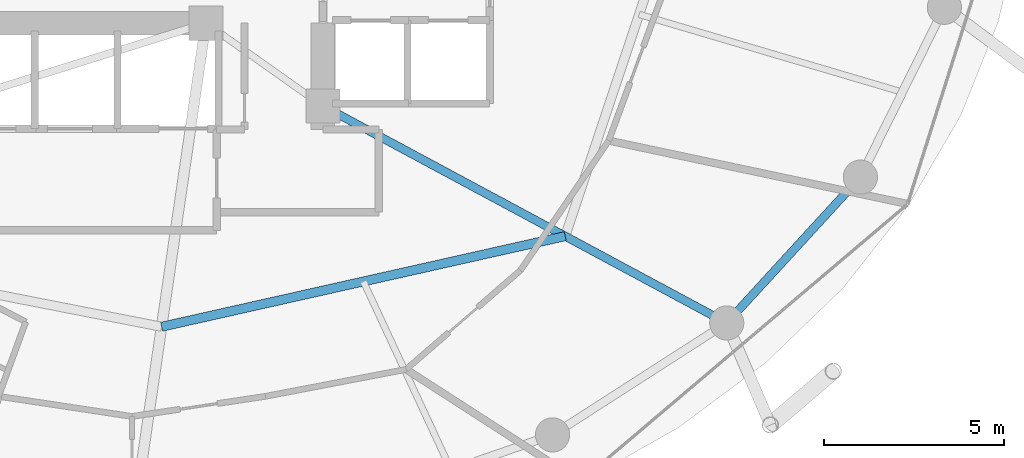
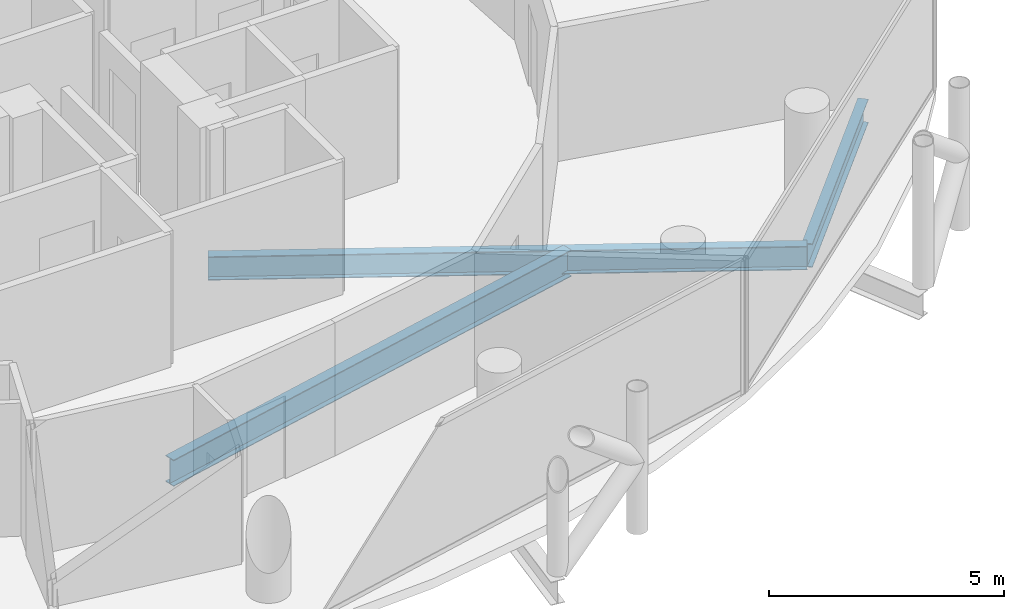
# One storey, part 9 of 26: 3 beams.
"""IFC4 building model written with IfcOpenShell, lengths in metres."""

from ifc_helpers import new_model, si_unit, direction, frame, origin, origin_2d, place, context, subcontext, project, spatial, i_section, extrude, material, material_profile, profile_set, type_object, element, save


model = new_model("IFC4")

# Units and contexts
model_context = context("Model", 3, precision=1e-05, world=origin(), true_north=direction((0.0, 1.0)))
body_context = subcontext(model_context, "Body", "Model", "MODEL_VIEW")
ifc_project = project(units=[si_unit("LENGTHUNIT", "METRE"), si_unit("AREAUNIT", "SQUARE_METRE"), si_unit("VOLUMEUNIT", "CUBIC_METRE"), si_unit("PLANEANGLEUNIT", "RADIAN"), si_unit("MASSUNIT", "GRAM", prefix="KILO")], contexts=[model_context])

# Site, building, storey
site_placement = place(None, origin())
site = spatial("IfcSite", under=ifc_project, at=site_placement, CompositionType="ELEMENT")
building_placement = place(site_placement, origin())
building = spatial("IfcBuilding", under=site, at=building_placement, Name="Nuhasar Tower", CompositionType="ELEMENT")
storey_placement = place(building_placement, frame((0.0, 0.0, 181.14990234375)))
storey = spatial("IfcBuildingStorey", under=building, at=storey_placement, Name="L44", CompositionType="ELEMENT", Elevation=181.14990234375)

# Beams
ifc_material = material(Name="Steel S355", Category="steel")
ifc_material_profile_1 = material_profile(ifc_material, i_section(OverallWidth=0.25390625, OverallDepth=0.68408203125, WebThickness=0.012451171875, FlangeThickness=0.018798828125, at=origin_2d()), Name="W27X94")
ifc_profile_set_1 = profile_set([ifc_material_profile_1], Name="Steel S355")
beam_type_1 = type_object("IfcBeamType", Name="BM-INRING-W27X94", PredefinedType="BEAM", material=ifc_profile_set_1)
beam_1_placement = place(storey_placement, frame((39.820068359375, 12.8701171875, -0.591796875), z_axis=(0.975716159385, 0.219038755282, 0.0), x_axis=(-0.219038755282, 0.975716159385, 0.0)))
element("IfcBeam", 1, at=beam_1_placement, inside=storey, type_object=beam_type_1, Name="L44 Inner Header Beam 02", PredefinedType="BEAM", context=body_context, shape_type="SweptSolid", body=[
    extrude(i_section(OverallWidth=0.25390625, OverallDepth=0.68408203125, WebThickness=0.012451171875, FlangeThickness=0.018798828125, at=origin_2d()), origin(), (0.0, 0.0, 1.0), 11.48583984375),
])
ifc_material_profile_2 = material_profile(ifc_material, i_section(OverallWidth=0.22900390625, OverallDepth=0.612060546875, WebThickness=0.011962890625, FlangeThickness=0.01953125, at=origin_2d()), Name="W24X84")
ifc_profile_set_2 = profile_set([ifc_material_profile_2], Name="Steel S355")
beam_type_2 = type_object("IfcBeamType", Name="BM-RAD-W24X84", PredefinedType="BEAM", material=ifc_profile_set_2)
beam_2_placement = place(storey_placement, frame((44.300048828125, 19.0, -0.555908203125), z_axis=(0.880888386928, -0.473324043098, 0.0), x_axis=(0.473324043098, 0.880888386928, 0.0)))
element("IfcBeam", 2, at=beam_2_placement, inside=storey, type_object=beam_type_2, Name="L44 Radial Floor Girder 03", PredefinedType="BEAM", context=body_context, shape_type="SweptSolid", body=[
    extrude(i_section(OverallWidth=0.22900390625, OverallDepth=0.612060546875, WebThickness=0.011962890625, FlangeThickness=0.01953125, at=origin_2d()), origin(), (0.0, 0.0, 1.0), 12.726806640625),
])
ifc_material_profile_3 = material_profile(ifc_material, i_section(OverallWidth=0.22998046875, OverallDepth=0.616943359375, WebThickness=0.01318359375, FlangeThickness=0.022216796875, at=origin_2d()), Name="W24X94")
ifc_profile_set_3 = profile_set([ifc_material_profile_3], Name="Steel S355")
beam_type_3 = type_object("IfcBeamType", Name="BM-RING-W24X94", PredefinedType="SPANDREL", material=ifc_profile_set_3)
beam_3_placement = place(storey_placement, frame((55.510986328125, 12.97607421875, -0.558837890625), z_axis=(0.675676316545, 0.737198423262, 0.0), x_axis=(-0.737198423262, 0.675676316545, 0.0)))
element("IfcBeam", 3, at=beam_3_placement, inside=storey, type_object=beam_type_3, Name="L44 Perimeter Ring Spandrel 22", PredefinedType="SPANDREL", context=body_context, shape_type="SweptSolid", body=[
    extrude(i_section(OverallWidth=0.22998046875, OverallDepth=0.616943359375, WebThickness=0.01318359375, FlangeThickness=0.022216796875, at=origin_2d()), origin(), (0.0, 0.0, 1.0), 5.4921875),
])

save(model, "model.ifc")
